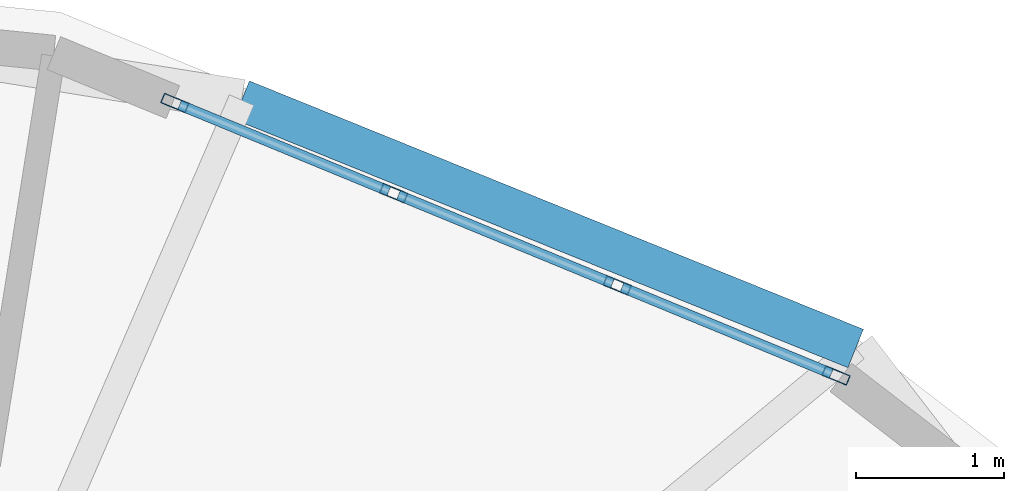
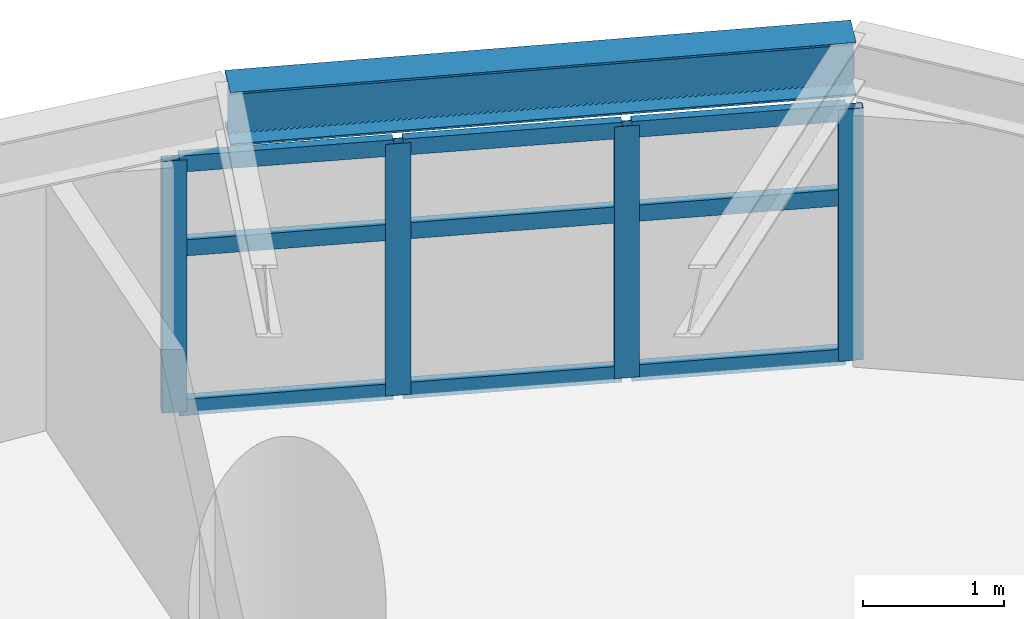
# One storey, part 7 of 18: 13 members, 1 beam, 1 element without a shape of its own.
"""IFC4 building model written with IfcOpenShell, lengths in metres."""

from ifc_helpers import new_model, si_unit, direction, frame, origin, origin_2d, place, context, subcontext, project, spatial, hollow_rectangle, i_section, extrude, material, layer, layer_set, material_profile, profile_set, type_object, element, aggregate, save


model = new_model("IFC4")

# Units and contexts
model_context = context("Model", 3, precision=1e-05, world=origin(), true_north=direction((0.0, 1.0)))
body_context = subcontext(model_context, "Body", "Model", "MODEL_VIEW")
ifc_project = project(units=[si_unit("LENGTHUNIT", "METRE"), si_unit("AREAUNIT", "SQUARE_METRE"), si_unit("VOLUMEUNIT", "CUBIC_METRE"), si_unit("PLANEANGLEUNIT", "RADIAN"), si_unit("MASSUNIT", "GRAM", prefix="KILO")], contexts=[model_context])

# Site, building, storey
site_placement = place(None, origin())
site = spatial("IfcSite", under=ifc_project, at=site_placement, CompositionType="ELEMENT")
building_placement = place(site_placement, origin())
building = spatial("IfcBuilding", under=site, at=building_placement, Name="Cununo Teusaquillo Station Towers", CompositionType="ELEMENT")
storey_placement = place(building_placement, frame((0.0, 0.0, 75.969970703125)))
storey = spatial("IfcBuildingStorey", under=building, at=storey_placement, Name="L23", CompositionType="ELEMENT", Elevation=75.969970703125)

# Beam
ifc_material_1 = material(Name="Steel ASTM A572 Grade 50", Category="steel")
ifc_material_profile_1 = material_profile(ifc_material_1, i_section(OverallWidth=0.280029296875, OverallDepth=0.462890625, WebThickness=0.0107421875, FlangeThickness=0.017333984375, FilletRadius=0.013916015625, at=origin_2d()), Name="W18X76")
ifc_profile_set_1 = profile_set([ifc_material_profile_1], Name="Steel ASTM A572 Grade 50")
beam_type = type_object("IfcBeamType", Name="BM-RING-Z2", PredefinedType="SPANDREL", material=ifc_profile_set_1)
beam_placement = place(storey_placement, frame((63.9111328125, 39.341064453125, 2.4384765625), z_axis=(-0.927007712072, 0.375042266631, 0.0), x_axis=(-0.375042266631, -0.927007712072, 0.0)))
element("IfcBeam", 1, at=beam_placement, inside=storey, type_object=beam_type, Name="L23 Tower B Spandrel Ring Beam 02", PredefinedType="SPANDREL", context=body_context, shape_type="SweptSolid", body=[
    extrude(i_section(OverallWidth=0.280029296875, OverallDepth=0.462890625, WebThickness=0.0107421875, FlangeThickness=0.017333984375, FilletRadius=0.013916015625, at=origin_2d()), origin(), (0.0, 0.0, 1.0), 4.480712890625),
])

# Curtain wall, members
ifc_material_2 = material(Name="Ceramic-fritted dark low-E double glazing", Category="glass")
ifc_layer = layer(ifc_material_2, 0.179931640625)
ifc_layer_set = layer_set([ifc_layer], Name="Ceramic-fritted dark low-E double glazing")
curtain_wall_type = type_object("IfcCurtainWallType", Name="CW-SYS-04", PredefinedType="USERDEFINED", material=ifc_layer_set)
curtain_wall_placement = place(storey_placement, origin())
curtain_wall = element("IfcCurtainWall", 2, at=curtain_wall_placement, inside=storey, type_object=curtain_wall_type, Name="L23 Tower B Facade Curtain Wall C01", ObjectType="FRITTED GLAZING", PredefinedType="USERDEFINED")
ifc_material_3 = material(Name="Anodised dark bronze aluminium EN AW-6063-T6", Category="aluminium")
ifc_material_profile_2 = material_profile(ifc_material_3, hollow_rectangle(XDim=0.070068359375, YDim=0.179931640625, WallThickness=0.00390625, at=origin_2d()), Name="CW-MULL-70x180")
ifc_profile_set_2 = profile_set([ifc_material_profile_2], Name="Anodised dark bronze aluminium EN AW-6063-T6")
member_type_1 = type_object("IfcMemberType", Name="CWM-180", PredefinedType="MULLION", material=ifc_profile_set_2)
member_1_placement = place(storey_placement, frame((59.3056640625, 41.001953125, 0.0), z_axis=(0.0, 0.0, 1.0), x_axis=(0.381030560176, 0.924562443652, 0.0)))
member_1 = element("IfcMember", 3, at=member_1_placement, type_object=member_type_1, Name="CW-04 mullion 1", PredefinedType="MULLION", context=body_context, shape_type="SweptSolid", body=[
    extrude(hollow_rectangle(XDim=0.070068359375, YDim=0.179931640625, WallThickness=0.00390625, at=origin_2d()), origin(), (0.0, 0.0, 1.0), 2.178955078125),
])
member_2_placement = place(storey_placement, frame((60.785888671875, 40.39208984375, 0.0), z_axis=(0.0, 0.0, 1.0), x_axis=(0.381030560176, 0.924562443652, 0.0)))
member_2 = element("IfcMember", 4, at=member_2_placement, type_object=member_type_1, Name="CW-04 mullion 2", PredefinedType="MULLION", context=body_context, shape_type="SweptSolid", body=[
    extrude(hollow_rectangle(XDim=0.070068359375, YDim=0.179931640625, WallThickness=0.00390625, at=origin_2d()), origin(), (0.0, 0.0, 1.0), 2.178955078125),
])
member_3_placement = place(storey_placement, frame((62.298583984375, 39.7685546875, 0.0), z_axis=(0.0, 0.0, 1.0), x_axis=(0.381030560176, 0.924562443652, 0.0)))
member_3 = element("IfcMember", 5, at=member_3_placement, type_object=member_type_1, Name="CW-04 mullion 3", PredefinedType="MULLION", context=body_context, shape_type="SweptSolid", body=[
    extrude(hollow_rectangle(XDim=0.070068359375, YDim=0.179931640625, WallThickness=0.00390625, at=origin_2d()), origin(), (0.0, 0.0, 1.0), 2.178955078125),
])
member_4_placement = place(storey_placement, frame((63.77880859375, 39.158447265625, 0.0), z_axis=(0.0, 0.0, 1.0), x_axis=(0.381030560176, 0.924562443652, 0.0)))
member_4 = element("IfcMember", 6, at=member_4_placement, type_object=member_type_1, Name="CW-04 mullion 4", PredefinedType="MULLION", context=body_context, shape_type="SweptSolid", body=[
    extrude(hollow_rectangle(XDim=0.070068359375, YDim=0.179931640625, WallThickness=0.00390625, at=origin_2d()), origin(), (0.0, 0.0, 1.0), 2.178955078125),
])
ifc_material_4 = material(Name="Anodised dark bronze aluminium EN AW-6063-T6", Category="aluminium")
ifc_material_profile_3 = material_profile(ifc_material_4, hollow_rectangle(XDim=0.070068359375, YDim=0.139892578125, WallThickness=0.00390625, at=origin_2d()), Name="CW-TRAN-70x140")
ifc_profile_set_3 = profile_set([ifc_material_profile_3], Name="Anodised dark bronze aluminium EN AW-6063-T6")
member_type_2 = type_object("IfcMemberType", Name="CWT-140", PredefinedType="USERDEFINED", material=ifc_profile_set_3)
member_5_placement = place(storey_placement, frame((59.337890625, 40.98876953125, 0.034912109375), z_axis=(0.924532726965, -0.381102659097, 0.0), x_axis=(0.381102659097, 0.924532726965, 0.0)))
member_5 = element("IfcMember", 7, at=member_5_placement, type_object=member_type_2, Name="CW-04 transom 1.1", ObjectType="TRANSOM", PredefinedType="USERDEFINED", context=body_context, shape_type="SweptSolid", body=[
    extrude(hollow_rectangle(XDim=0.070068359375, YDim=0.139892578125, WallThickness=0.00390625, at=origin_2d()), origin(), (0.0, 0.0, 1.0), 1.531005859375),
])
member_6_placement = place(storey_placement, frame((59.337890625, 40.98876953125, 1.416015625), z_axis=(0.924532726965, -0.381102659097, 0.0), x_axis=(0.381102659097, 0.924532726965, 0.0)))
member_6 = element("IfcMember", 8, at=member_6_placement, type_object=member_type_2, Name="CW-04 transom 1.2", ObjectType="TRANSOM", PredefinedType="USERDEFINED", context=body_context, shape_type="SweptSolid", body=[
    extrude(hollow_rectangle(XDim=0.070068359375, YDim=0.139892578125, WallThickness=0.00390625, at=origin_2d()), origin(), (0.0, 0.0, 1.0), 1.531005859375),
])
member_7_placement = place(storey_placement, frame((59.337890625, 40.98876953125, 2.14404296875), z_axis=(0.924532726965, -0.381102659097, 0.0), x_axis=(0.381102659097, 0.924532726965, 0.0)))
member_7 = element("IfcMember", 9, at=member_7_placement, type_object=member_type_2, Name="CW-04 transom 1.3", ObjectType="TRANSOM", PredefinedType="USERDEFINED", context=body_context, shape_type="SweptSolid", body=[
    extrude(hollow_rectangle(XDim=0.070068359375, YDim=0.139892578125, WallThickness=0.00390625, at=origin_2d()), origin(), (0.0, 0.0, 1.0), 1.531005859375),
])
member_8_placement = place(storey_placement, frame((60.818115234375, 40.378662109375, 0.034912109375), z_axis=(0.924577983912, -0.380992849887, 0.0), x_axis=(0.380992849887, 0.924577983912, 0.0)))
member_8 = element("IfcMember", 10, at=member_8_placement, type_object=member_type_2, Name="CW-04 transom 2.1", ObjectType="TRANSOM", PredefinedType="USERDEFINED", context=body_context, shape_type="SweptSolid", body=[
    extrude(hollow_rectangle(XDim=0.070068359375, YDim=0.139892578125, WallThickness=0.00390625, at=origin_2d()), origin(), (0.0, 0.0, 1.0), 1.566162109375),
])
member_9_placement = place(storey_placement, frame((60.818115234375, 40.378662109375, 1.416015625), z_axis=(0.924577983912, -0.380992849887, 0.0), x_axis=(0.380992849887, 0.924577983912, 0.0)))
member_9 = element("IfcMember", 11, at=member_9_placement, type_object=member_type_2, Name="CW-04 transom 2.2", ObjectType="TRANSOM", PredefinedType="USERDEFINED", context=body_context, shape_type="SweptSolid", body=[
    extrude(hollow_rectangle(XDim=0.070068359375, YDim=0.139892578125, WallThickness=0.00390625, at=origin_2d()), origin(), (0.0, 0.0, 1.0), 1.566162109375),
])
member_10_placement = place(storey_placement, frame((60.818115234375, 40.378662109375, 2.14404296875), z_axis=(0.924577983912, -0.380992849887, 0.0), x_axis=(0.380992849887, 0.924577983912, 0.0)))
member_10 = element("IfcMember", 12, at=member_10_placement, type_object=member_type_2, Name="CW-04 transom 2.3", ObjectType="TRANSOM", PredefinedType="USERDEFINED", context=body_context, shape_type="SweptSolid", body=[
    extrude(hollow_rectangle(XDim=0.070068359375, YDim=0.139892578125, WallThickness=0.00390625, at=origin_2d()), origin(), (0.0, 0.0, 1.0), 1.566162109375),
])
member_11_placement = place(storey_placement, frame((62.330810546875, 39.75537109375, 0.034912109375), z_axis=(0.924555881283, -0.381046483233, 0.0), x_axis=(0.381046483233, 0.924555881283, 0.0)))
member_11 = element("IfcMember", 13, at=member_11_placement, type_object=member_type_2, Name="CW-04 transom 3.1", ObjectType="TRANSOM", PredefinedType="USERDEFINED", context=body_context, shape_type="SweptSolid", body=[
    extrude(hollow_rectangle(XDim=0.070068359375, YDim=0.139892578125, WallThickness=0.00390625, at=origin_2d()), origin(), (0.0, 0.0, 1.0), 1.53125),
])
member_12_placement = place(storey_placement, frame((62.330810546875, 39.75537109375, 1.416015625), z_axis=(0.924555881283, -0.381046483233, 0.0), x_axis=(0.381046483233, 0.924555881283, 0.0)))
member_12 = element("IfcMember", 14, at=member_12_placement, type_object=member_type_2, Name="CW-04 transom 3.2", ObjectType="TRANSOM", PredefinedType="USERDEFINED", context=body_context, shape_type="SweptSolid", body=[
    extrude(hollow_rectangle(XDim=0.070068359375, YDim=0.139892578125, WallThickness=0.00390625, at=origin_2d()), origin(), (0.0, 0.0, 1.0), 1.53125),
])
member_13_placement = place(storey_placement, frame((62.330810546875, 39.75537109375, 2.14404296875), z_axis=(0.924555881283, -0.381046483233, 0.0), x_axis=(0.381046483233, 0.924555881283, 0.0)))
member_13 = element("IfcMember", 15, at=member_13_placement, type_object=member_type_2, Name="CW-04 transom 3.3", ObjectType="TRANSOM", PredefinedType="USERDEFINED", context=body_context, shape_type="SweptSolid", body=[
    extrude(hollow_rectangle(XDim=0.070068359375, YDim=0.139892578125, WallThickness=0.00390625, at=origin_2d()), origin(), (0.0, 0.0, 1.0), 1.53125),
])
aggregate(curtain_wall, [member_1, member_2, member_3, member_4, member_5, member_6, member_7, member_8, member_9, member_10, member_11, member_12, member_13])

save(model, "model.ifc")
